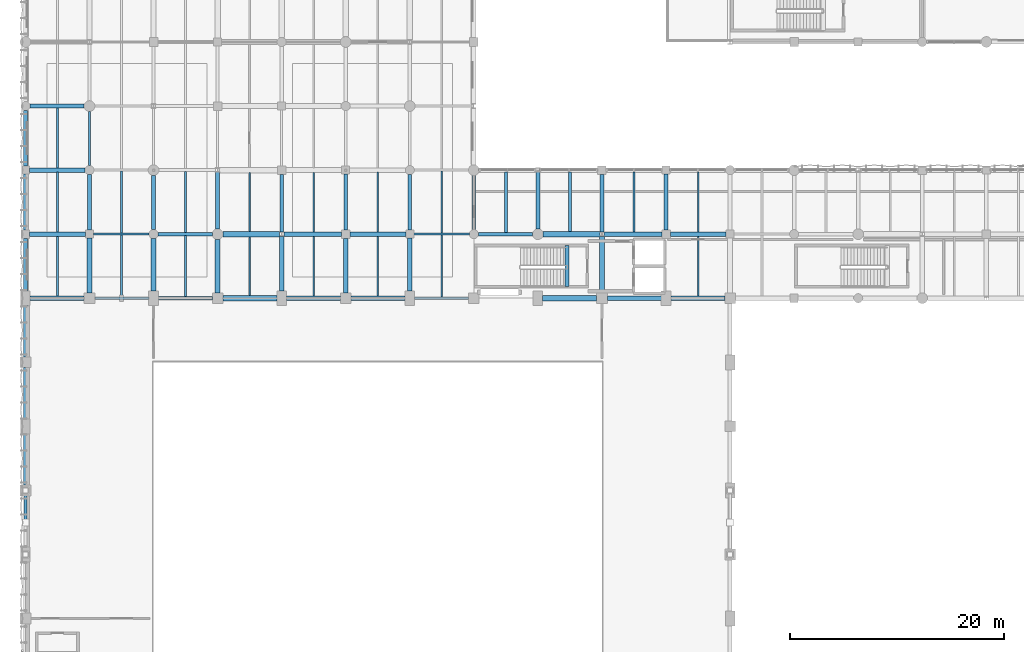
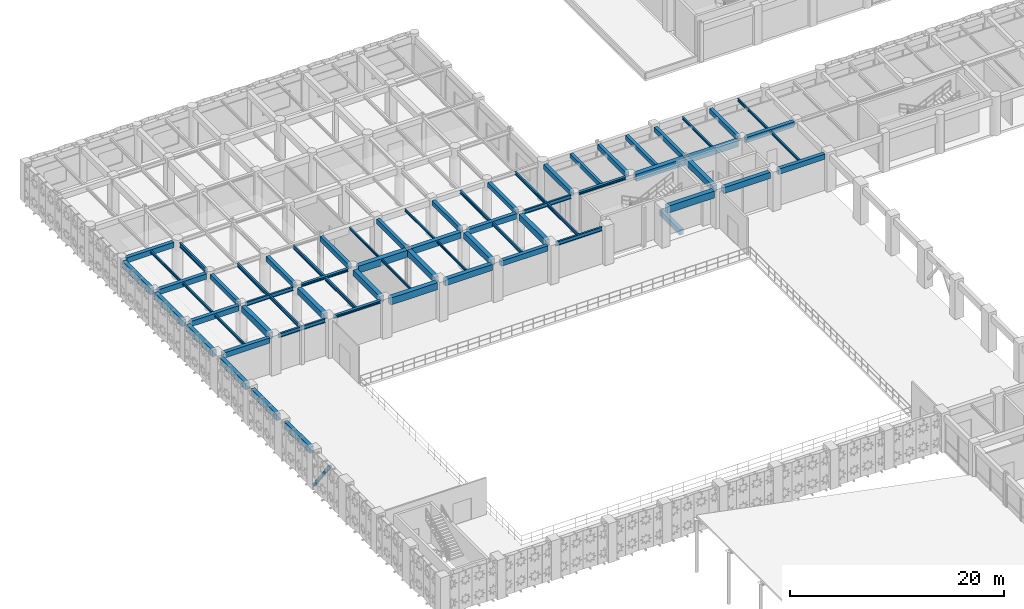
# One storey, part 32 of 133: 68 beams, 1 member.
"""IFC4 building model written with IfcOpenShell, lengths in metres."""

from ifc_helpers import new_model, si_unit, direction, frame, origin, origin_2d, place, context, subcontext, project, spatial, rectangle, hollow_rectangle, i_section, extrude, material, material_profile, profile_set, type_object, element, save


model = new_model("IFC4")

# Units and contexts
model_context = context("Model", 3, precision=1e-05, world=origin(), true_north=direction((0.0, 1.0)))
body_context = subcontext(model_context, "Body", "Model", "MODEL_VIEW")
ifc_project = project(units=[si_unit("LENGTHUNIT", "METRE"), si_unit("AREAUNIT", "SQUARE_METRE"), si_unit("VOLUMEUNIT", "CUBIC_METRE"), si_unit("PLANEANGLEUNIT", "RADIAN"), si_unit("MASSUNIT", "GRAM", prefix="KILO"), si_unit("THERMODYNAMICTEMPERATUREUNIT", "KELVIN"), si_unit("POWERUNIT", "WATT")], contexts=[model_context])

# Site, building, storey
site_placement = place(None, origin())
site = spatial("IfcSite", under=ifc_project, at=site_placement, CompositionType="ELEMENT")
building_placement = place(site_placement, origin())
building = spatial("IfcBuilding", under=site, at=building_placement, Name="Phaisarnlok Congress Hotel", CompositionType="ELEMENT")
storey_placement = place(building_placement, frame((0.0, 0.0, 6.0)))
storey = spatial("IfcBuildingStorey", under=building, at=storey_placement, Name="L01", CompositionType="ELEMENT", Elevation=6.0)

# Beams
ifc_material_1 = material(Name="Concrete C40/50", Category="concrete")
ifc_material_profile_1 = material_profile(ifc_material_1, rectangle(XDim=0.35009765625, YDim=0.550048828125, at=origin_2d()), Name="RC 350x550")
ifc_profile_set_1 = profile_set([ifc_material_profile_1], Name="Concrete C40/50")
beam_type_1 = type_object("IfcBeamType", Name="BM-RC-350x550", PredefinedType="BEAM", material=ifc_profile_set_1)
beam_1_placement = place(storey_placement, frame((6.0, 90.3701171875, 3.945068359375), z_axis=(0.0, 1.0, 0.0), x_axis=(-1.0, 0.0, 0.0)))
element("IfcBeam", 1, at=beam_1_placement, inside=storey, type_object=beam_type_1, Name="Beam B-01", PredefinedType="BEAM", context=body_context, shape_type="SweptSolid", body=[
    extrude(rectangle(XDim=0.35009765625, YDim=0.550048828125, at=origin_2d()), origin(), (0.0, 0.0, 1.0), 5.2099609375),
])
beam_2_placement = place(storey_placement, frame((12.0, 90.419921875, 3.945068359375), z_axis=(0.0, 1.0, 0.0), x_axis=(-1.0, 0.0, 0.0)))
element("IfcBeam", 2, at=beam_2_placement, inside=storey, type_object=beam_type_1, Name="Beam B-01", PredefinedType="BEAM", context=body_context, shape_type="SweptSolid", body=[
    extrude(rectangle(XDim=0.35009765625, YDim=0.550048828125, at=origin_2d()), origin(), (0.0, 0.0, 1.0), 5.0849609375),
])
beam_3_placement = place(storey_placement, frame((18.0, 90.4951171875, 3.945068359375), z_axis=(0.0, 1.0, 0.0), x_axis=(-1.0, 0.0, 0.0)))
element("IfcBeam", 3, at=beam_3_placement, inside=storey, type_object=beam_type_1, Name="Beam B-01", PredefinedType="BEAM", context=body_context, shape_type="SweptSolid", body=[
    extrude(rectangle(XDim=0.35009765625, YDim=0.550048828125, at=origin_2d()), origin(), (0.0, 0.0, 1.0), 5.310302734375),
])
beam_4_placement = place(storey_placement, frame((24.0, 90.194580078125, 3.945068359375), z_axis=(0.0, 1.0, 0.0), x_axis=(-1.0, 0.0, 0.0)))
element("IfcBeam", 4, at=beam_4_placement, inside=storey, type_object=beam_type_1, Name="Beam B-01", PredefinedType="BEAM", context=body_context, shape_type="SweptSolid", body=[
    extrude(rectangle(XDim=0.35009765625, YDim=0.550048828125, at=origin_2d()), origin(), (0.0, 0.0, 1.0), 5.410400390625),
])
beam_5_placement = place(storey_placement, frame((30.0, 90.39501953125, 3.945068359375), z_axis=(0.0, 1.0, 0.0), x_axis=(-1.0, 0.0, 0.0)))
element("IfcBeam", 5, at=beam_5_placement, inside=storey, type_object=beam_type_1, Name="Beam B-01", PredefinedType="BEAM", context=body_context, shape_type="SweptSolid", body=[
    extrude(rectangle(XDim=0.35009765625, YDim=0.550048828125, at=origin_2d()), origin(), (0.0, 0.0, 1.0), 5.23486328125),
])
beam_6_placement = place(storey_placement, frame((36.0, 90.3701171875, 3.945068359375), z_axis=(0.0, 1.0, 0.0), x_axis=(-1.0, 0.0, 0.0)))
element("IfcBeam", 6, at=beam_6_placement, inside=storey, type_object=beam_type_1, Name="Beam B-01", PredefinedType="BEAM", context=body_context, shape_type="SweptSolid", body=[
    extrude(rectangle(XDim=0.35009765625, YDim=0.550048828125, at=origin_2d()), origin(), (0.0, 0.0, 1.0), 5.2099609375),
])
beam_7_placement = place(storey_placement, frame((42.0, 90.419921875, 3.945068359375), z_axis=(0.0, 1.0, 0.0), x_axis=(-1.0, 0.0, 0.0)))
element("IfcBeam", 7, at=beam_7_placement, inside=storey, type_object=beam_type_1, Name="Beam B-01", PredefinedType="BEAM", context=body_context, shape_type="SweptSolid", body=[
    extrude(rectangle(XDim=0.35009765625, YDim=0.550048828125, at=origin_2d()), origin(), (0.0, 0.0, 1.0), 5.0849609375),
])
beam_8_placement = place(storey_placement, frame((48.0, 90.4951171875, 3.945068359375), z_axis=(0.0, 1.0, 0.0), x_axis=(-1.0, 0.0, 0.0)))
element("IfcBeam", 8, at=beam_8_placement, inside=storey, type_object=beam_type_1, Name="Beam B-01", PredefinedType="BEAM", context=body_context, shape_type="SweptSolid", body=[
    extrude(rectangle(XDim=0.35009765625, YDim=0.550048828125, at=origin_2d()), origin(), (0.0, 0.0, 1.0), 5.310302734375),
])
beam_9_placement = place(storey_placement, frame((54.0, 90.194580078125, 3.945068359375), z_axis=(0.0, 1.0, 0.0), x_axis=(-1.0, 0.0, 0.0)))
element("IfcBeam", 9, at=beam_9_placement, inside=storey, type_object=beam_type_1, Name="Beam B-01", PredefinedType="BEAM", context=body_context, shape_type="SweptSolid", body=[
    extrude(rectangle(XDim=0.35009765625, YDim=0.550048828125, at=origin_2d()), origin(), (0.0, 0.0, 1.0), 5.410400390625),
])
beam_10_placement = place(storey_placement, frame((60.0, 90.39501953125, 3.945068359375), z_axis=(0.0, 1.0, 0.0), x_axis=(-1.0, 0.0, 0.0)))
element("IfcBeam", 10, at=beam_10_placement, inside=storey, type_object=beam_type_1, Name="Beam B-01", PredefinedType="BEAM", context=body_context, shape_type="SweptSolid", body=[
    extrude(rectangle(XDim=0.35009765625, YDim=0.550048828125, at=origin_2d()), origin(), (0.0, 0.0, 1.0), 5.23486328125),
])
ifc_material_profile_2 = material_profile(ifc_material_1, rectangle(XDim=0.39990234375, YDim=0.60009765625, at=origin_2d()), Name="RC 400x600")
ifc_profile_set_2 = profile_set([ifc_material_profile_2], Name="Concrete C40/50")
beam_type_2 = type_object("IfcBeamType", Name="BM-RC-400x600", PredefinedType="BEAM", material=ifc_profile_set_2)
beam_11_placement = place(storey_placement, frame((0.445068359375, 84.0, 3.919921875), z_axis=(1.0, 0.0, 0.0), x_axis=(0.0, 1.0, 0.0)))
element("IfcBeam", 11, at=beam_11_placement, inside=storey, type_object=beam_type_2, Name="Beam B-02", PredefinedType="BEAM", context=body_context, shape_type="SweptSolid", body=[
    extrude(rectangle(XDim=0.39990234375, YDim=0.60009765625, at=origin_2d()), origin(), (0.0, 0.0, 1.0), 5.059814453125),
])
beam_12_placement = place(storey_placement, frame((0.39501953125, 90.0, 3.919921875), z_axis=(1.0, 0.0, 0.0), x_axis=(0.0, 1.0, 0.0)))
element("IfcBeam", 12, at=beam_12_placement, inside=storey, type_object=beam_type_2, Name="Beam B-02", PredefinedType="BEAM", context=body_context, shape_type="SweptSolid", body=[
    extrude(rectangle(XDim=0.39990234375, YDim=0.60009765625, at=origin_2d()), origin(), (0.0, 0.0, 1.0), 5.23486328125),
])
beam_13_placement = place(storey_placement, frame((0.3701171875, 96.0, 3.919921875), z_axis=(1.0, 0.0, 0.0), x_axis=(0.0, 1.0, 0.0)))
element("IfcBeam", 13, at=beam_13_placement, inside=storey, type_object=beam_type_2, Name="Beam B-02", PredefinedType="BEAM", context=body_context, shape_type="SweptSolid", body=[
    extrude(rectangle(XDim=0.39990234375, YDim=0.60009765625, at=origin_2d()), origin(), (0.0, 0.0, 1.0), 5.2099609375),
])
beam_14_placement = place(storey_placement, frame((0.419921875, 102.0, 3.919921875), z_axis=(1.0, 0.0, 0.0), x_axis=(0.0, 1.0, 0.0)))
element("IfcBeam", 14, at=beam_14_placement, inside=storey, type_object=beam_type_2, Name="Beam B-02", PredefinedType="BEAM", context=body_context, shape_type="SweptSolid", body=[
    extrude(rectangle(XDim=0.39990234375, YDim=0.60009765625, at=origin_2d()), origin(), (0.0, 0.0, 1.0), 5.0849609375),
])
beam_15_placement = place(storey_placement, frame((30.4951171875, 84.0, 3.919921875), z_axis=(1.0, 0.0, 0.0), x_axis=(0.0, 1.0, 0.0)))
element("IfcBeam", 15, at=beam_15_placement, inside=storey, type_object=beam_type_2, Name="Beam B-02", PredefinedType="BEAM", context=body_context, shape_type="SweptSolid", body=[
    extrude(rectangle(XDim=0.39990234375, YDim=0.60009765625, at=origin_2d()), origin(), (0.0, 0.0, 1.0), 5.059814453125),
])
beam_16_placement = place(storey_placement, frame((30.39501953125, 90.0, 3.919921875), z_axis=(1.0, 0.0, 0.0), x_axis=(0.0, 1.0, 0.0)))
element("IfcBeam", 16, at=beam_16_placement, inside=storey, type_object=beam_type_2, Name="Beam B-02", PredefinedType="BEAM", context=body_context, shape_type="SweptSolid", body=[
    extrude(rectangle(XDim=0.39990234375, YDim=0.60009765625, at=origin_2d()), origin(), (0.0, 0.0, 1.0), 5.23486328125),
])
beam_17_placement = place(storey_placement, frame((60.445068359375, 84.0, 3.919921875), z_axis=(1.0, 0.0, 0.0), x_axis=(0.0, 1.0, 0.0)))
element("IfcBeam", 17, at=beam_17_placement, inside=storey, type_object=beam_type_2, Name="Beam B-02", PredefinedType="BEAM", context=body_context, shape_type="SweptSolid", body=[
    extrude(rectangle(XDim=0.39990234375, YDim=0.60009765625, at=origin_2d()), origin(), (0.0, 0.0, 1.0), 5.059814453125),
])
beam_18_placement = place(storey_placement, frame((60.39501953125, 90.0, 3.919921875), z_axis=(1.0, 0.0, 0.0), x_axis=(0.0, 1.0, 0.0)))
element("IfcBeam", 18, at=beam_18_placement, inside=storey, type_object=beam_type_2, Name="Beam B-02", PredefinedType="BEAM", context=body_context, shape_type="SweptSolid", body=[
    extrude(rectangle(XDim=0.39990234375, YDim=0.60009765625, at=origin_2d()), origin(), (0.0, 0.0, 1.0), 5.23486328125),
])
beam_19_placement = place(storey_placement, frame((50.719970703125, 85.080078125, -0.300048828125), z_axis=(0.0, 1.0, 0.0), x_axis=(-1.0, 0.0, 0.0)))
element("IfcBeam", 19, at=beam_19_placement, inside=storey, type_object=beam_type_2, Name="Stair landing header beam B-02 (CORE-5 L01)", PredefinedType="BEAM", context=body_context, shape_type="SweptSolid", body=[
    extrude(rectangle(XDim=0.39990234375, YDim=0.60009765625, at=origin_2d()), origin(), (0.0, 0.0, 1.0), 3.83984375),
])
ifc_material_profile_3 = material_profile(ifc_material_1, rectangle(XDim=0.449951171875, YDim=0.699951171875, at=origin_2d()), Name="RC 450x700")
ifc_profile_set_3 = profile_set([ifc_material_profile_3], Name="Concrete C40/50")
beam_type_3 = type_object("IfcBeamType", Name="BM-RC-450x700", PredefinedType="BEAM", material=ifc_profile_set_3)
beam_20_placement = place(storey_placement, frame((6.0, 84.4951171875, 3.8701171875), z_axis=(0.0, 1.0, 0.0), x_axis=(-1.0, 0.0, 0.0)))
element("IfcBeam", 20, at=beam_20_placement, inside=storey, type_object=beam_type_3, Name="Beam B-03", PredefinedType="BEAM", context=body_context, shape_type="SweptSolid", body=[
    extrude(rectangle(XDim=0.449951171875, YDim=0.699951171875, at=origin_2d()), origin(), (0.0, 0.0, 1.0), 5.134765625),
])
beam_21_placement = place(storey_placement, frame((12.0, 84.695068359375, 3.8701171875), z_axis=(0.0, 1.0, 0.0), x_axis=(-1.0, 0.0, 0.0)))
element("IfcBeam", 21, at=beam_21_placement, inside=storey, type_object=beam_type_3, Name="Beam B-03", PredefinedType="BEAM", context=body_context, shape_type="SweptSolid", body=[
    extrude(rectangle(XDim=0.449951171875, YDim=0.699951171875, at=origin_2d()), origin(), (0.0, 0.0, 1.0), 4.885009765625),
])
beam_22_placement = place(storey_placement, frame((18.0, 84.4951171875, 3.8701171875), z_axis=(0.0, 1.0, 0.0), x_axis=(-1.0, 0.0, 0.0)))
element("IfcBeam", 22, at=beam_22_placement, inside=storey, type_object=beam_type_3, Name="Beam B-03", PredefinedType="BEAM", context=body_context, shape_type="SweptSolid", body=[
    extrude(rectangle(XDim=0.449951171875, YDim=0.699951171875, at=origin_2d()), origin(), (0.0, 0.0, 1.0), 5.009765625),
])
beam_23_placement = place(storey_placement, frame((24.445068359375, 84.0, 3.8701171875), z_axis=(1.0, 0.0, 0.0), x_axis=(0.0, 1.0, 0.0)))
element("IfcBeam", 23, at=beam_23_placement, inside=storey, type_object=beam_type_3, Name="Beam B-03", PredefinedType="BEAM", context=body_context, shape_type="SweptSolid", body=[
    extrude(rectangle(XDim=0.449951171875, YDim=0.699951171875, at=origin_2d()), origin(), (0.0, 0.0, 1.0), 5.059814453125),
])
beam_24_placement = place(storey_placement, frame((24.0, 84.695068359375, 3.8701171875), z_axis=(0.0, 1.0, 0.0), x_axis=(-1.0, 0.0, 0.0)))
element("IfcBeam", 24, at=beam_24_placement, inside=storey, type_object=beam_type_3, Name="Beam B-03", PredefinedType="BEAM", context=body_context, shape_type="SweptSolid", body=[
    extrude(rectangle(XDim=0.449951171875, YDim=0.699951171875, at=origin_2d()), origin(), (0.0, 0.0, 1.0), 5.1103515625),
])
beam_25_placement = place(storey_placement, frame((24.195556640625, 90.0, 3.8701171875), z_axis=(1.0, 0.0, 0.0), x_axis=(0.0, 1.0, 0.0)))
element("IfcBeam", 25, at=beam_25_placement, inside=storey, type_object=beam_type_3, Name="Beam B-03", PredefinedType="BEAM", context=body_context, shape_type="SweptSolid", body=[
    extrude(rectangle(XDim=0.449951171875, YDim=0.699951171875, at=origin_2d()), origin(), (0.0, 0.0, 1.0), 5.409423828125),
])
beam_26_placement = place(storey_placement, frame((30.0, 84.4951171875, 3.8701171875), z_axis=(0.0, 1.0, 0.0), x_axis=(-1.0, 0.0, 0.0)))
element("IfcBeam", 26, at=beam_26_placement, inside=storey, type_object=beam_type_3, Name="Beam B-03", PredefinedType="BEAM", context=body_context, shape_type="SweptSolid", body=[
    extrude(rectangle(XDim=0.449951171875, YDim=0.699951171875, at=origin_2d()), origin(), (0.0, 0.0, 1.0), 5.10986328125),
])
beam_27_placement = place(storey_placement, frame((36.0, 84.695068359375, 3.8701171875), z_axis=(0.0, 1.0, 0.0), x_axis=(-1.0, 0.0, 0.0)))
element("IfcBeam", 27, at=beam_27_placement, inside=storey, type_object=beam_type_3, Name="Beam B-03", PredefinedType="BEAM", context=body_context, shape_type="SweptSolid", body=[
    extrude(rectangle(XDim=0.449951171875, YDim=0.699951171875, at=origin_2d()), origin(), (0.0, 0.0, 1.0), 4.934814453125),
])
beam_28_placement = place(storey_placement, frame((54.4951171875, 84.0, 3.8701171875), z_axis=(1.0, 0.0, 0.0), x_axis=(0.0, 1.0, 0.0)))
element("IfcBeam", 28, at=beam_28_placement, inside=storey, type_object=beam_type_3, Name="Beam B-03", PredefinedType="BEAM", context=body_context, shape_type="SweptSolid", body=[
    extrude(rectangle(XDim=0.449951171875, YDim=0.699951171875, at=origin_2d()), origin(), (0.0, 0.0, 1.0), 5.059814453125),
])
beam_29_placement = place(storey_placement, frame((54.0, 84.4951171875, 3.8701171875), z_axis=(0.0, 1.0, 0.0), x_axis=(-1.0, 0.0, 0.0)))
element("IfcBeam", 29, at=beam_29_placement, inside=storey, type_object=beam_type_3, Name="Beam B-03", PredefinedType="BEAM", context=body_context, shape_type="SweptSolid", body=[
    extrude(rectangle(XDim=0.449951171875, YDim=0.699951171875, at=origin_2d()), origin(), (0.0, 0.0, 1.0), 5.310302734375),
])
beam_30_placement = place(storey_placement, frame((54.195556640625, 90.0, 3.8701171875), z_axis=(1.0, 0.0, 0.0), x_axis=(0.0, 1.0, 0.0)))
element("IfcBeam", 30, at=beam_30_placement, inside=storey, type_object=beam_type_3, Name="Beam B-03", PredefinedType="BEAM", context=body_context, shape_type="SweptSolid", body=[
    extrude(rectangle(XDim=0.449951171875, YDim=0.699951171875, at=origin_2d()), origin(), (0.0, 0.0, 1.0), 5.409423828125),
])
ifc_material_profile_4 = material_profile(ifc_material_1, rectangle(XDim=0.5, YDim=0.800048828125, at=origin_2d()), Name="RC 500x800")
ifc_profile_set_4 = profile_set([ifc_material_profile_4], Name="Concrete C40/50")
beam_type_4 = type_object("IfcBeamType", Name="BM-RC-500x800", PredefinedType="BEAM", material=ifc_profile_set_4)
beam_31_placement = place(storey_placement, frame((18.4951171875, 84.0, 3.820068359375), z_axis=(1.0, 0.0, 0.0), x_axis=(0.0, 1.0, 0.0)))
element("IfcBeam", 31, at=beam_31_placement, inside=storey, type_object=beam_type_4, Name="Beam B-04", PredefinedType="BEAM", context=body_context, shape_type="SweptSolid", body=[
    extrude(rectangle(XDim=0.5, YDim=0.800048828125, at=origin_2d()), origin(), (0.0, 0.0, 1.0), 5.059814453125),
])
beam_32_placement = place(storey_placement, frame((18.4951171875, 90.0, 3.820068359375), z_axis=(1.0, 0.0, 0.0), x_axis=(0.0, 1.0, 0.0)))
element("IfcBeam", 32, at=beam_32_placement, inside=storey, type_object=beam_type_4, Name="Beam B-04", PredefinedType="BEAM", context=body_context, shape_type="SweptSolid", body=[
    extrude(rectangle(XDim=0.5, YDim=0.800048828125, at=origin_2d()), origin(), (0.0, 0.0, 1.0), 5.309326171875),
])
beam_33_placement = place(storey_placement, frame((48.445068359375, 84.0, 3.820068359375), z_axis=(1.0, 0.0, 0.0), x_axis=(0.0, 1.0, 0.0)))
element("IfcBeam", 33, at=beam_33_placement, inside=storey, type_object=beam_type_4, Name="Beam B-04", PredefinedType="BEAM", context=body_context, shape_type="SweptSolid", body=[
    extrude(rectangle(XDim=0.5, YDim=0.800048828125, at=origin_2d()), origin(), (0.0, 0.0, 1.0), 5.059814453125),
])
beam_34_placement = place(storey_placement, frame((48.4951171875, 90.0, 3.820068359375), z_axis=(1.0, 0.0, 0.0), x_axis=(0.0, 1.0, 0.0)))
element("IfcBeam", 34, at=beam_34_placement, inside=storey, type_object=beam_type_4, Name="Beam B-04", PredefinedType="BEAM", context=body_context, shape_type="SweptSolid", body=[
    extrude(rectangle(XDim=0.5, YDim=0.800048828125, at=origin_2d()), origin(), (0.0, 0.0, 1.0), 5.309326171875),
])
ifc_material_2 = material(Name="Steel S355", Category="steel")
ifc_material_profile_5 = material_profile(ifc_material_2, i_section(OverallWidth=0.300048828125, OverallDepth=0.2900390625, WebThickness=0.008544921875, FlangeThickness=0.013916015625, FilletRadius=0.027099609375, at=origin_2d()), Name="HEA 300")
ifc_profile_set_5 = profile_set([ifc_material_profile_5], Name="Steel S355")
beam_type_5 = type_object("IfcBeamType", Name="BM-STL-HEA300", PredefinedType="BEAM", material=ifc_profile_set_5)
beam_35_placement = place(storey_placement, frame((12.445068359375, 84.0, 4.074951171875), z_axis=(1.0, 0.0, 0.0), x_axis=(0.0, 1.0, 0.0)))
element("IfcBeam", 35, at=beam_35_placement, inside=storey, type_object=beam_type_5, Name="Beam SB-05", PredefinedType="BEAM", context=body_context, shape_type="SweptSolid", body=[
    extrude(i_section(OverallWidth=0.300048828125, OverallDepth=0.2900390625, WebThickness=0.008544921875, FlangeThickness=0.013916015625, FilletRadius=0.027099609375, at=origin_2d()), origin(), (0.0, 0.0, 1.0), 5.059814453125),
])
for number, where, z_axis, x_axis, name in (
    (36, (12.419921875, 90.0, 4.074951171875), (1.0, 0.0, 0.0), (0.0, 1.0, 0.0), "Beam SB-05"),
    (37, (42.419921875, 90.0, 4.074951171875), (1.0, 0.0, 0.0), (0.0, 1.0, 0.0), "Beam SB-05"),
):
    element("IfcBeam", number, at=place(storey_placement, frame(where, z_axis=z_axis, x_axis=x_axis)), inside=storey, type_object=beam_type_5, Name=name, PredefinedType="BEAM", context=body_context, shape_type="SweptSolid", body=[
        extrude(i_section(OverallWidth=0.300048828125, OverallDepth=0.2900390625, WebThickness=0.008544921875, FlangeThickness=0.013916015625, FilletRadius=0.027099609375, at=origin_2d()), origin(), (0.0, 0.0, 1.0), 5.0849609375),
    ])
ifc_material_profile_6 = material_profile(ifc_material_2, i_section(OverallWidth=0.18994140625, OverallDepth=0.449951171875, WebThickness=0.009521484375, FlangeThickness=0.0146484375, FilletRadius=0.02099609375, at=origin_2d()), Name="IPE 450")
ifc_profile_set_6 = profile_set([ifc_material_profile_6], Name="Steel S355")
beam_type_6 = type_object("IfcBeamType", Name="BM-STL-IPE450", PredefinedType="BEAM", material=ifc_profile_set_6)
beam_36_placement = place(storey_placement, frame((6.4951171875, 84.0, 3.9951171875), z_axis=(1.0, 0.0, 0.0), x_axis=(0.0, 1.0, 0.0)))
element("IfcBeam", 38, at=beam_36_placement, inside=storey, type_object=beam_type_6, Name="Beam SB-01", PredefinedType="BEAM", context=body_context, shape_type="SweptSolid", body=[
    extrude(i_section(OverallWidth=0.18994140625, OverallDepth=0.449951171875, WebThickness=0.009521484375, FlangeThickness=0.0146484375, FilletRadius=0.02099609375, at=origin_2d()), origin(), (0.0, 0.0, 1.0), 5.059814453125),
])
beam_37_placement = place(storey_placement, frame((6.3701171875, 90.0, 3.9951171875), z_axis=(1.0, 0.0, 0.0), x_axis=(0.0, 1.0, 0.0)))
element("IfcBeam", 39, at=beam_37_placement, inside=storey, type_object=beam_type_6, Name="Beam SB-01", PredefinedType="BEAM", context=body_context, shape_type="SweptSolid", body=[
    extrude(i_section(OverallWidth=0.18994140625, OverallDepth=0.449951171875, WebThickness=0.009521484375, FlangeThickness=0.0146484375, FilletRadius=0.02099609375, at=origin_2d()), origin(), (0.0, 0.0, 1.0), 5.2099609375),
])
beam_38_placement = place(storey_placement, frame((36.445068359375, 84.0, 3.9951171875), z_axis=(1.0, 0.0, 0.0), x_axis=(0.0, 1.0, 0.0)))
element("IfcBeam", 40, at=beam_38_placement, inside=storey, type_object=beam_type_6, Name="Beam SB-01", PredefinedType="BEAM", context=body_context, shape_type="SweptSolid", body=[
    extrude(i_section(OverallWidth=0.18994140625, OverallDepth=0.449951171875, WebThickness=0.009521484375, FlangeThickness=0.0146484375, FilletRadius=0.02099609375, at=origin_2d()), origin(), (0.0, 0.0, 1.0), 5.059814453125),
])
beam_39_placement = place(storey_placement, frame((36.3701171875, 90.0, 3.9951171875), z_axis=(1.0, 0.0, 0.0), x_axis=(0.0, 1.0, 0.0)))
element("IfcBeam", 41, at=beam_39_placement, inside=storey, type_object=beam_type_6, Name="Beam SB-01", PredefinedType="BEAM", context=body_context, shape_type="SweptSolid", body=[
    extrude(i_section(OverallWidth=0.18994140625, OverallDepth=0.449951171875, WebThickness=0.009521484375, FlangeThickness=0.0146484375, FilletRadius=0.02099609375, at=origin_2d()), origin(), (0.0, 0.0, 1.0), 5.2099609375),
])
ifc_material_profile_7 = material_profile(ifc_material_2, i_section(OverallWidth=0.199951171875, OverallDepth=0.5, WebThickness=0.01025390625, FlangeThickness=0.01611328125, FilletRadius=0.02099609375, at=origin_2d()), Name="IPE 500")
ifc_profile_set_7 = profile_set([ifc_material_profile_7], Name="Steel S355")
beam_type_7 = type_object("IfcBeamType", Name="BM-STL-IPE500", PredefinedType="BEAM", material=ifc_profile_set_7)
beam_40_placement = place(storey_placement, frame((6.0, 96.419921875, 3.969970703125), z_axis=(0.0, 1.0, 0.0), x_axis=(-1.0, 0.0, 0.0)))
element("IfcBeam", 42, at=beam_40_placement, inside=storey, type_object=beam_type_7, Name="Beam SB-02", PredefinedType="BEAM", context=body_context, shape_type="SweptSolid", body=[
    extrude(i_section(OverallWidth=0.199951171875, OverallDepth=0.5, WebThickness=0.01025390625, FlangeThickness=0.01611328125, FilletRadius=0.02099609375, at=origin_2d()), origin(), (0.0, 0.0, 1.0), 5.0849609375),
])
ifc_material_profile_8 = material_profile(ifc_material_1, rectangle(XDim=0.300048828125, YDim=0.5, at=origin_2d()), Name="RC 300x500")
ifc_profile_set_8 = profile_set([ifc_material_profile_8], Name="Concrete C40/50")
beam_type_8 = type_object("IfcBeamType", Name="JS-RC-300x500", PredefinedType="JOIST", material=ifc_profile_set_8)
beam_41_placement = place(storey_placement, frame((45.0, 90.14501953125, 3.969970703125), z_axis=(0.0, 1.0, 0.0), x_axis=(-1.0, 0.0, 0.0)))
element("IfcBeam", 43, at=beam_41_placement, inside=storey, type_object=beam_type_8, Name="Secondary floor joist J-01", PredefinedType="JOIST", context=body_context, shape_type="SweptSolid", body=[
    extrude(rectangle(XDim=0.300048828125, YDim=0.5, at=origin_2d()), origin(), (0.0, 0.0, 1.0), 5.659912109375),
])
beam_42_placement = place(storey_placement, frame((51.0, 90.2451171875, 3.969970703125), z_axis=(0.0, 1.0, 0.0), x_axis=(-1.0, 0.0, 0.0)))
element("IfcBeam", 44, at=beam_42_placement, inside=storey, type_object=beam_type_8, Name="Secondary floor joist J-01", PredefinedType="JOIST", context=body_context, shape_type="SweptSolid", body=[
    extrude(rectangle(XDim=0.300048828125, YDim=0.5, at=origin_2d()), origin(), (0.0, 0.0, 1.0), 5.559814453125),
])
ifc_material_profile_9 = material_profile(ifc_material_2, i_section(OverallWidth=0.135009765625, OverallDepth=0.27001953125, WebThickness=0.006591796875, FlangeThickness=0.01025390625, FilletRadius=0.014892578125, at=origin_2d()), Name="IPE 270")
ifc_profile_set_9 = profile_set([ifc_material_profile_9], Name="Steel S355")
beam_type_9 = type_object("IfcBeamType", Name="JS-STL-IPE270", PredefinedType="JOIST", material=ifc_profile_set_9)
for number, where, z_axis, x_axis, name in (
    (45, (21.0, 84.2451171875, 4.0849609375), (0.0, 1.0, 0.0), (-1.0, 0.0, 0.0), "Secondary floor joist J-02"),
    (46, (21.0, 90.2451171875, 4.0849609375), (0.0, 1.0, 0.0), (-1.0, 0.0, 0.0), "Secondary floor joist J-02"),
):
    element("IfcBeam", number, at=place(storey_placement, frame(where, z_axis=z_axis, x_axis=x_axis)), inside=storey, type_object=beam_type_9, Name=name, PredefinedType="JOIST", context=body_context, shape_type="SweptSolid", body=[
        extrude(i_section(OverallWidth=0.135009765625, OverallDepth=0.27001953125, WebThickness=0.006591796875, FlangeThickness=0.01025390625, FilletRadius=0.014892578125, at=origin_2d()), origin(), (0.0, 0.0, 1.0), 5.509765625),
    ])
for number, where, z_axis, x_axis, name in (
    (47, (27.0, 84.219970703125, 4.0849609375), (0.0, 1.0, 0.0), (-1.0, 0.0, 0.0), "Secondary floor joist J-02"),
    (48, (27.0, 90.219970703125, 4.0849609375), (0.0, 1.0, 0.0), (-1.0, 0.0, 0.0), "Secondary floor joist J-02"),
):
    element("IfcBeam", number, at=place(storey_placement, frame(where, z_axis=z_axis, x_axis=x_axis)), inside=storey, type_object=beam_type_9, Name=name, PredefinedType="JOIST", context=body_context, shape_type="SweptSolid", body=[
        extrude(i_section(OverallWidth=0.135009765625, OverallDepth=0.27001953125, WebThickness=0.006591796875, FlangeThickness=0.01025390625, FilletRadius=0.014892578125, at=origin_2d()), origin(), (0.0, 0.0, 1.0), 5.56005859375),
    ])
ifc_material_profile_10 = material_profile(ifc_material_2, i_section(OverallWidth=0.14990234375, OverallDepth=0.300048828125, WebThickness=0.007080078125, FlangeThickness=0.0107421875, FilletRadius=0.014892578125, at=origin_2d()), Name="IPE 300")
ifc_profile_set_10 = profile_set([ifc_material_profile_10], Name="Steel S355")
beam_type_10 = type_object("IfcBeamType", Name="JS-STL-IPE300", PredefinedType="JOIST", material=ifc_profile_set_10)
for number, where, z_axis, x_axis, name in (
    (49, (3.0, 84.195068359375, 4.070068359375), (0.0, 1.0, 0.0), (-1.0, 0.0, 0.0), "Secondary floor joist J-03"),
    (50, (3.0, 90.195068359375, 4.070068359375), (0.0, 1.0, 0.0), (-1.0, 0.0, 0.0), "Secondary floor joist J-03"),
    (51, (3.0, 96.195068359375, 4.070068359375), (0.0, 1.0, 0.0), (-1.0, 0.0, 0.0), "Secondary floor joist J-03"),
):
    element("IfcBeam", number, at=place(storey_placement, frame(where, z_axis=z_axis, x_axis=x_axis)), inside=storey, type_object=beam_type_10, Name=name, PredefinedType="JOIST", context=body_context, shape_type="SweptSolid", body=[
        extrude(i_section(OverallWidth=0.14990234375, OverallDepth=0.300048828125, WebThickness=0.007080078125, FlangeThickness=0.0107421875, FilletRadius=0.014892578125, at=origin_2d()), origin(), (0.0, 0.0, 1.0), 5.60986328125),
    ])
beam_43_placement = place(storey_placement, frame((57.0, 90.219970703125, 4.070068359375), z_axis=(0.0, 1.0, 0.0), x_axis=(-1.0, 0.0, 0.0)))
element("IfcBeam", 52, at=beam_43_placement, inside=storey, type_object=beam_type_10, Name="Secondary floor joist J-03", PredefinedType="JOIST", context=body_context, shape_type="SweptSolid", body=[
    extrude(i_section(OverallWidth=0.14990234375, OverallDepth=0.300048828125, WebThickness=0.007080078125, FlangeThickness=0.0107421875, FilletRadius=0.014892578125, at=origin_2d()), origin(), (0.0, 0.0, 1.0), 5.5849609375),
])
for number, where, z_axis, x_axis, name in (
    (53, (63.0, 84.195068359375, 4.070068359375), (0.0, 1.0, 0.0), (-1.0, 0.0, 0.0), "Secondary floor joist J-03"),
    (54, (63.0, 90.195068359375, 4.070068359375), (0.0, 1.0, 0.0), (-1.0, 0.0, 0.0), "Secondary floor joist J-03"),
):
    element("IfcBeam", number, at=place(storey_placement, frame(where, z_axis=z_axis, x_axis=x_axis)), inside=storey, type_object=beam_type_10, Name=name, PredefinedType="JOIST", context=body_context, shape_type="SweptSolid", body=[
        extrude(i_section(OverallWidth=0.14990234375, OverallDepth=0.300048828125, WebThickness=0.007080078125, FlangeThickness=0.0107421875, FilletRadius=0.014892578125, at=origin_2d()), origin(), (0.0, 0.0, 1.0), 5.60986328125),
    ])
ifc_material_profile_11 = material_profile(ifc_material_2, i_section(OverallWidth=0.169921875, OverallDepth=0.360107421875, WebThickness=0.008056640625, FlangeThickness=0.0126953125, FilletRadius=0.01806640625, at=origin_2d()), Name="IPE 360")
ifc_profile_set_11 = profile_set([ifc_material_profile_11], Name="Steel S355")
beam_type_11 = type_object("IfcBeamType", Name="JS-STL-IPE360", PredefinedType="JOIST", material=ifc_profile_set_11)
for number, where, z_axis, x_axis, name in (
    (55, (33.0, 84.195068359375, 4.0400390625), (0.0, 1.0, 0.0), (-1.0, 0.0, 0.0), "Secondary floor joist J-04"),
    (56, (33.0, 90.195068359375, 4.0400390625), (0.0, 1.0, 0.0), (-1.0, 0.0, 0.0), "Secondary floor joist J-04"),
):
    element("IfcBeam", number, at=place(storey_placement, frame(where, z_axis=z_axis, x_axis=x_axis)), inside=storey, type_object=beam_type_11, Name=name, PredefinedType="JOIST", context=body_context, shape_type="SweptSolid", body=[
        extrude(i_section(OverallWidth=0.169921875, OverallDepth=0.360107421875, WebThickness=0.008056640625, FlangeThickness=0.0126953125, FilletRadius=0.01806640625, at=origin_2d()), origin(), (0.0, 0.0, 1.0), 5.60986328125),
    ])
for number, where, z_axis, x_axis, name in (
    (57, (39.0, 84.090087890625, 4.0400390625), (0.0, 1.0, 0.0), (-1.0, 0.0, 0.0), "Secondary floor joist J-04"),
    (58, (39.0, 90.090087890625, 4.0400390625), (0.0, 1.0, 0.0), (-1.0, 0.0, 0.0), "Secondary floor joist J-04"),
):
    element("IfcBeam", number, at=place(storey_placement, frame(where, z_axis=z_axis, x_axis=x_axis)), inside=storey, type_object=beam_type_11, Name=name, PredefinedType="JOIST", context=body_context, shape_type="SweptSolid", body=[
        extrude(i_section(OverallWidth=0.169921875, OverallDepth=0.360107421875, WebThickness=0.008056640625, FlangeThickness=0.0126953125, FilletRadius=0.01806640625, at=origin_2d()), origin(), (0.0, 0.0, 1.0), 5.81982421875),
    ])
ifc_material_profile_12 = material_profile(ifc_material_2, i_section(OverallWidth=0.179931640625, OverallDepth=0.39990234375, WebThickness=0.008544921875, FlangeThickness=0.013427734375, FilletRadius=0.02099609375, at=origin_2d()), Name="IPE 400")
ifc_profile_set_12 = profile_set([ifc_material_profile_12], Name="Steel S355")
beam_type_12 = type_object("IfcBeamType", Name="JS-STL-IPE400", PredefinedType="JOIST", material=ifc_profile_set_12)
for number, where, z_axis, x_axis, name in (
    (59, (9.0, 84.090087890625, 4.02001953125), (0.0, 1.0, 0.0), (-1.0, 0.0, 0.0), "Secondary floor joist J-05"),
    (60, (9.0, 90.090087890625, 4.02001953125), (0.0, 1.0, 0.0), (-1.0, 0.0, 0.0), "Secondary floor joist J-05"),
):
    element("IfcBeam", number, at=place(storey_placement, frame(where, z_axis=z_axis, x_axis=x_axis)), inside=storey, type_object=beam_type_12, Name=name, PredefinedType="JOIST", context=body_context, shape_type="SweptSolid", body=[
        extrude(i_section(OverallWidth=0.179931640625, OverallDepth=0.39990234375, WebThickness=0.008544921875, FlangeThickness=0.013427734375, FilletRadius=0.02099609375, at=origin_2d()), origin(), (0.0, 0.0, 1.0), 5.81982421875),
    ])
for number, where, z_axis, x_axis, name in (
    (61, (15.0, 84.14501953125, 4.02001953125), (0.0, 1.0, 0.0), (-1.0, 0.0, 0.0), "Secondary floor joist J-05"),
    (62, (15.0, 90.14501953125, 4.02001953125), (0.0, 1.0, 0.0), (-1.0, 0.0, 0.0), "Secondary floor joist J-05"),
):
    element("IfcBeam", number, at=place(storey_placement, frame(where, z_axis=z_axis, x_axis=x_axis)), inside=storey, type_object=beam_type_12, Name=name, PredefinedType="JOIST", context=body_context, shape_type="SweptSolid", body=[
        extrude(i_section(OverallWidth=0.179931640625, OverallDepth=0.39990234375, WebThickness=0.008544921875, FlangeThickness=0.013427734375, FilletRadius=0.02099609375, at=origin_2d()), origin(), (0.0, 0.0, 1.0), 5.7099609375),
    ])

# Member
ifc_material_profile_13 = material_profile(ifc_material_2, hollow_rectangle(XDim=0.260009765625, YDim=0.260009765625, WallThickness=0.01611328125, at=origin_2d()), Name="SHS 260x260x16")
ifc_profile_set_13 = profile_set([ifc_material_profile_13], Name="Steel S355")
member_type = type_object("IfcMemberType", Name="MEM-BRC-SHS260-EXT", PredefinedType="BRACE", material=ifc_profile_set_13)
member_placement = place(storey_placement, frame((0.0, 66.0, 0.14990234375), z_axis=(0.0, -0.604808680836, 0.796370805332), x_axis=(1.0, 0.0, 0.0)))
element("IfcMember", 63, at=member_placement, inside=storey, type_object=member_type, Name="Lateral braced frame diagonal", PredefinedType="BRACE", context=body_context, shape_type="SweptSolid", body=[
    extrude(hollow_rectangle(XDim=0.260009765625, YDim=0.260009765625, WallThickness=0.01611328125, at=origin_2d()), origin(), (0.0, 0.0, 1.0), 4.960205078125),
])

# Beams
ifc_material_profile_14 = material_profile(ifc_material_1, rectangle(XDim=0.39990234375, YDim=0.75, at=origin_2d()), Name="RC 400x750")
ifc_profile_set_14 = profile_set([ifc_material_profile_14], Name="Concrete C40/50")
beam_type_13 = type_object("IfcBeamType", Name="SP-RC-400x750", PredefinedType="SPANDREL", material=ifc_profile_set_14)
for number, where, z_axis, x_axis, name in (
    (64, (0.0, 66.4951171875, 3.844970703125), (0.0, 1.0, 0.0), (-1.0, 0.0, 0.0), "Beam SP-02"),
    (65, (0.0, 72.695068359375, 3.844970703125), (0.0, 1.0, 0.0), (-1.0, 0.0, 0.0), "Beam SP-02"),
    (66, (0.0, 78.4951171875, 3.844970703125), (0.0, 1.0, 0.0), (-1.0, 0.0, 0.0), "Beam SP-02"),
):
    element("IfcBeam", number, at=place(storey_placement, frame(where, z_axis=z_axis, x_axis=x_axis)), inside=storey, type_object=beam_type_13, Name=name, PredefinedType="SPANDREL", context=body_context, shape_type="SweptSolid", body=[
        extrude(rectangle(XDim=0.39990234375, YDim=0.75, at=origin_2d()), origin(), (0.0, 0.0, 1.0), 4.809814453125),
    ])
beam_44_placement = place(storey_placement, frame((0.0, 84.695068359375, 3.844970703125), z_axis=(0.0, 1.0, 0.0), x_axis=(-1.0, 0.0, 0.0)))
element("IfcBeam", 67, at=beam_44_placement, inside=storey, type_object=beam_type_13, Name="Beam SP-02", PredefinedType="SPANDREL", context=body_context, shape_type="SweptSolid", body=[
    extrude(rectangle(XDim=0.39990234375, YDim=0.75, at=origin_2d()), origin(), (0.0, 0.0, 1.0), 4.909912109375),
])
beam_45_placement = place(storey_placement, frame((0.0, 90.39501953125, 3.844970703125), z_axis=(0.0, 1.0, 0.0), x_axis=(-1.0, 0.0, 0.0)))
element("IfcBeam", 68, at=beam_45_placement, inside=storey, type_object=beam_type_13, Name="Beam SP-02", PredefinedType="SPANDREL", context=body_context, shape_type="SweptSolid", body=[
    extrude(rectangle(XDim=0.39990234375, YDim=0.75, at=origin_2d()), origin(), (0.0, 0.0, 1.0), 5.23486328125),
])
beam_46_placement = place(storey_placement, frame((0.0, 96.3701171875, 3.844970703125), z_axis=(0.0, 1.0, 0.0), x_axis=(-1.0, 0.0, 0.0)))
element("IfcBeam", 69, at=beam_46_placement, inside=storey, type_object=beam_type_13, Name="Beam SP-02", PredefinedType="SPANDREL", context=body_context, shape_type="SweptSolid", body=[
    extrude(rectangle(XDim=0.39990234375, YDim=0.75, at=origin_2d()), origin(), (0.0, 0.0, 1.0), 5.2099609375),
])

save(model, "model.ifc")
